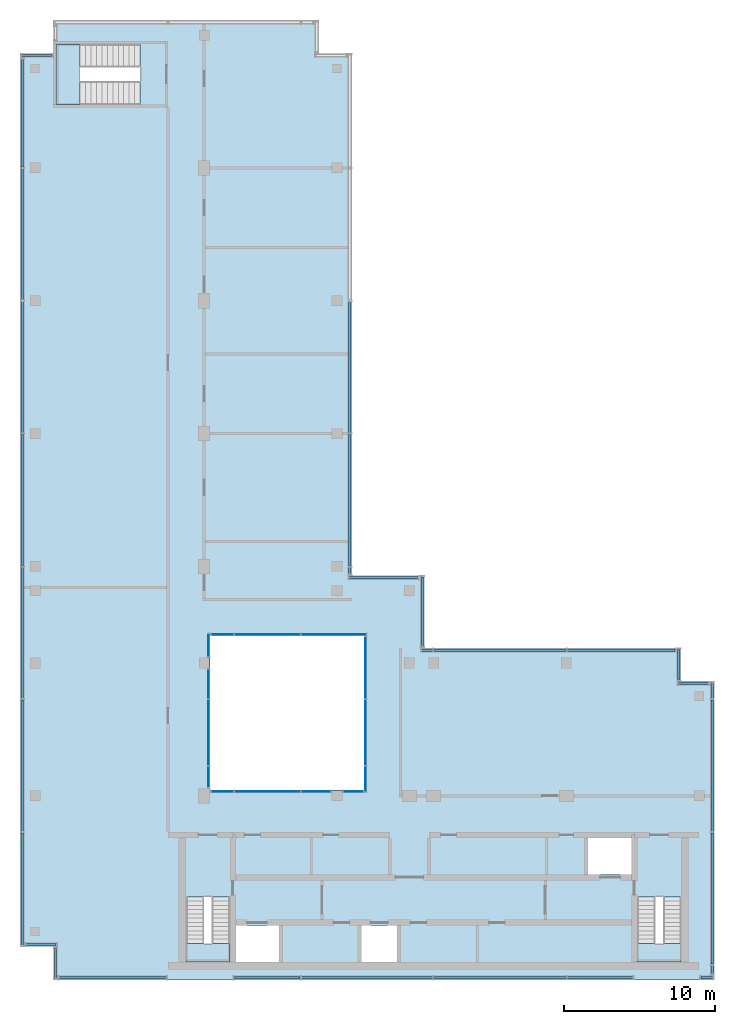
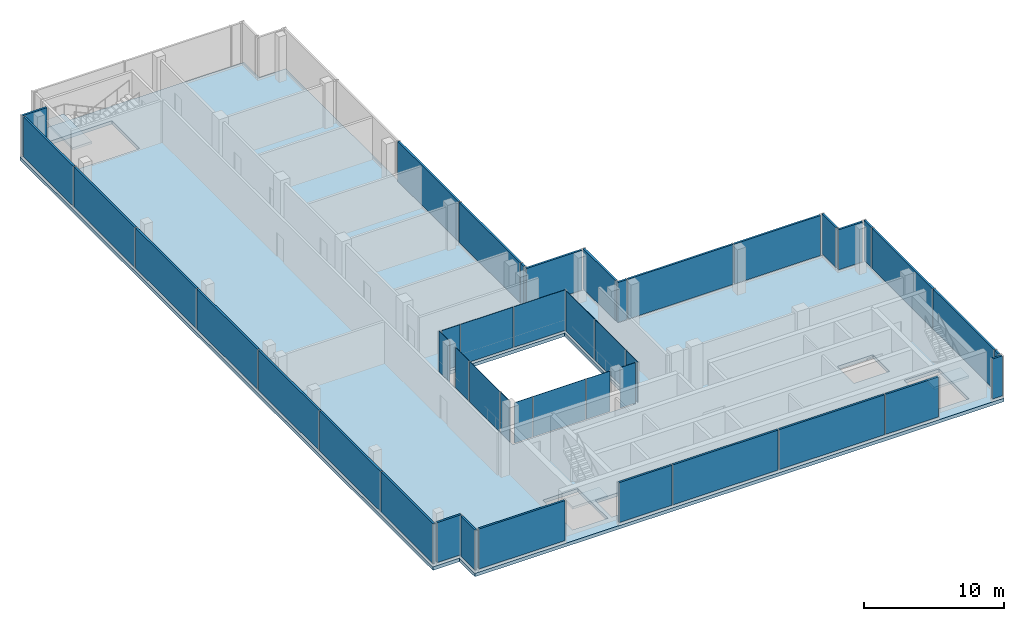
# One storey, part 7 of 10: 44 plates, 4 slabs, 23 elements without a shape of their own.
"""IFC4 building model written with IfcOpenShell, lengths in metres."""

from ifc_helpers import new_model, si_unit, direction, frame, origin, origin_2d, place, context, subcontext, project, spatial, polyline, rectangle, outline, extrude, source, transform, mapped, material, layer, layer_set, type_object, element, aggregate, save


model = new_model("IFC4")

# Units and contexts
model_context = context("Model", 3, precision=1e-05, world=origin(), true_north=direction((0.0, 1.0)))
body_context = subcontext(model_context, "Body", "Model", "MODEL_VIEW")
ifc_project = project(units=[si_unit("LENGTHUNIT", "METRE"), si_unit("AREAUNIT", "SQUARE_METRE"), si_unit("VOLUMEUNIT", "CUBIC_METRE"), si_unit("PLANEANGLEUNIT", "RADIAN"), si_unit("MASSUNIT", "GRAM", prefix="KILO")], contexts=[model_context])

# Site, building, storey
site_placement = place(None, origin())
site = spatial("IfcSite", under=ifc_project, at=site_placement, CompositionType="ELEMENT")
building_placement = place(site_placement, origin())
building = spatial("IfcBuilding", under=site, at=building_placement, Name="Kemantara Hotel Tower", CompositionType="ELEMENT")
storey_placement = place(building_placement, frame((0.0, 0.0, 314.199951171875)))
storey = spatial("IfcBuildingStorey", under=building, at=storey_placement, Name="L79", CompositionType="ELEMENT", Elevation=314.199951171875)

# Slab
ifc_material_1 = material(Name="Concrete fc 40 MPa", Category="concrete")
ifc_layer_1 = layer(ifc_material_1, 0.300048828125)
ifc_layer_set_1 = layer_set([ifc_layer_1], Name="Concrete fc 40 MPa")
slab_type_1 = type_object("IfcSlabType", Name="POST-TENSIONED FLAT PLATE 300", PredefinedType="FLOOR", material=ifc_layer_set_1)
slab_1_placement = place(storey_placement, frame((0.0, 0.0, -0.300048828125)))
element("IfcSlab", 1, at=slab_1_placement, inside=storey, type_object=slab_type_1, Name="FLOOR SLAB L79", PredefinedType="FLOOR", context=body_context, shape_type="SweptSolid", body=[
    extrude(outline(polyline([(22.0, 26.800048828125), (22.0, 61.39990234375), (19.800048828125, 61.39990234375), (19.800048828125, 63.60009765625), (2.199951171875, 63.60009765625), (2.199951171875, 61.39990234375), (0.0, 61.39990234375), (0.0, 2.199951171875), (2.199951171875, 2.199951171875), (2.199951171875, 0.0), (46.0, 0.0), (46.0, 19.800048828125), (43.800048828125, 19.800048828125), (43.800048828125, 22.0), (26.800048828125, 22.0), (26.800048828125, 26.800048828125), (22.0, 26.800048828125)]), holes=[polyline([(14.22509765625, 3.60009765625), (17.175048828125, 3.60009765625), (17.175048828125, 1.199951171875), (14.22509765625, 1.199951171875), (14.22509765625, 3.60009765625)]), polyline([(24.97509765625, 3.60009765625), (24.97509765625, 1.199951171875), (22.625, 1.199951171875), (22.625, 3.60009765625), (24.97509765625, 3.60009765625)]), polyline([(13.89990234375, 1.199951171875), (11.0, 1.199951171875), (11.0, 5.49951171875), (13.89990234375, 5.49951171875), (13.89990234375, 1.199951171875)]), polyline([(43.800048828125, 1.199951171875), (40.89990234375, 1.199951171875), (40.89990234375, 5.49951171875), (43.800048828125, 5.49951171875), (43.800048828125, 1.199951171875)]), polyline([(40.574951171875, 9.39990234375), (40.574951171875, 7.0), (37.625, 7.0), (37.625, 9.39990234375), (40.574951171875, 9.39990234375)]), polyline([(22.800048828125, 22.800048828125), (22.800048828125, 12.60009765625), (12.60009765625, 12.60009765625), (12.60009765625, 22.800048828125), (22.800048828125, 22.800048828125)]), polyline([(2.39990234375, 58.0), (2.39990234375, 62.0), (7.949462890625, 62.0), (7.949462890625, 58.0), (2.39990234375, 58.0)])]), origin(), (0.0, 0.0, 1.0), 0.300048828125),
])

# Stair, slab
stair_type_1 = type_object("IfcStairType", Name="Stair 1200 wide 24 risers of 167 x 280 mm", PredefinedType="HALF_TURN_STAIR", material=ifc_material_1)
stair_1_placement = place(storey_placement, origin())
stair_1 = element("IfcStair", 2, at=stair_1_placement, inside=storey, type_object=stair_type_1, Name="L79 Exit stair ST1", PredefinedType="HALF_TURN_STAIR")
ifc_layer_2 = layer(ifc_material_1, 0.199951171875)
ifc_layer_set_2 = layer_set([ifc_layer_2], Name="Concrete fc 40 MPa")
slab_type_2 = type_object("IfcSlabType", Name="Stair landing 200 mm", PredefinedType="LANDING", material=ifc_layer_set_2)
slab_2_placement = place(storey_placement, frame((0.0, 0.0, 1.800048828125)))
slab_2 = element("IfcSlab", 3, at=slab_2_placement, type_object=slab_type_2, Name="ST1 landing 1", PredefinedType="LANDING", context=body_context, shape_type="SweptSolid", body=[
    extrude(outline(polyline([(11.0, 2.419921875), (11.0, 1.199951171875), (13.89990234375, 1.199951171875), (13.89990234375, 2.419921875), (11.0, 2.419921875)])), origin(), (0.0, 0.0, 1.0), 0.199951171875),
])
aggregate(stair_1, [slab_2])

stair_2_placement = place(storey_placement, origin())
stair_2 = element("IfcStair", 4, at=stair_2_placement, inside=storey, type_object=stair_type_1, Name="L79 Exit stair ST2", PredefinedType="HALF_TURN_STAIR")
slab_3_placement = place(storey_placement, frame((0.0, 0.0, 1.800048828125)))
slab_3 = element("IfcSlab", 5, at=slab_3_placement, type_object=slab_type_2, Name="ST2 landing 1", PredefinedType="LANDING", context=body_context, shape_type="SweptSolid", body=[
    extrude(outline(polyline([(40.89990234375, 2.419921875), (40.89990234375, 1.199951171875), (43.800048828125, 1.199951171875), (43.800048828125, 2.419921875), (40.89990234375, 2.419921875)])), origin(), (0.0, 0.0, 1.0), 0.199951171875),
])
aggregate(stair_2, [slab_3])

stair_type_2 = type_object("IfcStairType", Name="Stair 1550 wide 24 risers of 167 x 360 mm", PredefinedType="HALF_TURN_STAIR", material=ifc_material_1)
stair_3_placement = place(storey_placement, origin())
stair_3 = element("IfcStair", 6, at=stair_3_placement, inside=storey, type_object=stair_type_2, Name="L79 Exit stair ST4", PredefinedType="HALF_TURN_STAIR")
slab_4_placement = place(storey_placement, frame((0.0, 0.0, 1.800048828125)))
slab_4 = element("IfcSlab", 7, at=slab_4_placement, type_object=slab_type_2, Name="ST4 landing 1", PredefinedType="LANDING", context=body_context, shape_type="SweptSolid", body=[
    extrude(outline(polyline([(3.989990234375, 62.0), (2.39990234375, 62.0), (2.39990234375, 58.0), (3.989990234375, 58.0), (3.989990234375, 62.0)])), origin(), (0.0, 0.0, 1.0), 0.199951171875),
])
aggregate(stair_3, [slab_4])

# Curtain wall, plate
ifc_material_2 = material(Name="Aluminium 6063-T6 bronze anodised", Category="aluminium")
curtain_wall_type_1 = type_object("IfcCurtainWallType", Name="CROWN LOUVRE SCREEN WALL", PredefinedType="USERDEFINED", material=ifc_material_2)
curtain_wall_1_placement = place(storey_placement, origin())
curtain_wall_1 = element("IfcCurtainWall", 8, at=curtain_wall_1_placement, inside=storey, type_object=curtain_wall_type_1, Name="CW7 L79 CRN-R12-1", ObjectType="CROWN LOUVRE SCREEN WALL", PredefinedType="USERDEFINED")
ifc_material_3 = material(Name="Bronze anodised aluminium louvre blades 3 mm", Category="aluminium")
ifc_layer_3 = layer(ifc_material_3, 0.159912109375)
ifc_layer_set_3 = layer_set([ifc_layer_3], Name="Bronze anodised aluminium louvre blades 3 mm")
plate_type_1 = type_object("IfcPlateType", Name="CROWN LOUVRE SCREEN WALL PANEL", PredefinedType="CURTAIN_PANEL", material=ifc_layer_set_3)
shared_shape_1 = source(origin(), body_context, "Body", "SweptSolid", [
    extrude(rectangle(XDim=0.75, YDim=0.159912109375, at=origin_2d()), origin(), (0.0, 0.0, 1.0), 3.5),
])
plate_1_placement = place(storey_placement, frame((26.97509765625, 21.85009765625, 0.199951171875), z_axis=(0.0, 0.0, 1.0), x_axis=(-1.0, 0.0, 0.0)))
plate_1 = element("IfcPlate", 9, at=plate_1_placement, type_object=plate_type_1, Name="CW7 louvre panel CRN-R12-1.3", PredefinedType="CURTAIN_PANEL", context=body_context, shape_type="MappedRepresentation", body=[
    mapped(shared_shape_1, transform((0.0, 0.0, 0.0))),
])

# Curtain wall, plates
curtain_wall_2_placement = place(storey_placement, origin())
curtain_wall_2 = element("IfcCurtainWall", 10, at=curtain_wall_2_placement, inside=storey, type_object=curtain_wall_type_1, Name="CW7 L79 CRN-R05-1", ObjectType="CROWN LOUVRE SCREEN WALL", PredefinedType="USERDEFINED")
shared_shape_2 = source(origin(), body_context, "Body", "SweptSolid", [
    extrude(rectangle(XDim=8.699951171875, YDim=0.159912109375, at=origin_2d()), origin(), (0.0, 0.0, 1.0), 3.5),
])
plate_2_placement = place(storey_placement, frame((0.14990234375, 49.39990234375, 0.199951171875), z_axis=(0.0, 0.0, 1.0), x_axis=(0.0, -1.0, 0.0)))
plate_2 = element("IfcPlate", 11, at=plate_2_placement, type_object=plate_type_1, Name="CW7 louvre panel CRN-R05-1.2", PredefinedType="CURTAIN_PANEL", context=body_context, shape_type="MappedRepresentation", body=[
    mapped(shared_shape_2, transform((0.0, 0.0, 0.0))),
])
plate_3_placement = place(storey_placement, frame((0.14990234375, 40.60009765625, 0.199951171875), z_axis=(0.0, 0.0, 1.0), x_axis=(0.0, -1.0, 0.0)))
plate_3 = element("IfcPlate", 12, at=plate_3_placement, type_object=plate_type_1, Name="CW7 louvre panel CRN-R05-1.3", PredefinedType="CURTAIN_PANEL", context=body_context, shape_type="MappedRepresentation", body=[
    mapped(shared_shape_2, transform((0.0, 0.0, 0.0))),
])
plate_4_placement = place(storey_placement, frame((0.14990234375, 31.800048828125, 0.199951171875), z_axis=(0.0, 0.0, 1.0), x_axis=(0.0, -1.0, 0.0)))
plate_4 = element("IfcPlate", 13, at=plate_4_placement, type_object=plate_type_1, Name="CW7 louvre panel CRN-R05-1.4", PredefinedType="CURTAIN_PANEL", context=body_context, shape_type="MappedRepresentation", body=[
    mapped(shared_shape_2, transform((0.0, 0.0, 0.0))),
])
plate_5_placement = place(storey_placement, frame((0.14990234375, 23.0, 0.199951171875), z_axis=(0.0, 0.0, 1.0), x_axis=(0.0, -1.0, 0.0)))
plate_5 = element("IfcPlate", 14, at=plate_5_placement, type_object=plate_type_1, Name="CW7 louvre panel CRN-R05-1.5", PredefinedType="CURTAIN_PANEL", context=body_context, shape_type="MappedRepresentation", body=[
    mapped(shared_shape_2, transform((0.0, 0.0, 0.0))),
])
plate_6_placement = place(storey_placement, frame((0.14990234375, 14.199951171875, 0.199951171875), z_axis=(0.0, 0.0, 1.0), x_axis=(0.0, -1.0, 0.0)))
plate_6 = element("IfcPlate", 15, at=plate_6_placement, type_object=plate_type_1, Name="CW7 louvre panel CRN-R05-1.6", PredefinedType="CURTAIN_PANEL", context=body_context, shape_type="MappedRepresentation", body=[
    mapped(shared_shape_2, transform((0.0, 0.0, 0.0))),
])

curtain_wall_3_placement = place(storey_placement, origin())
curtain_wall_3 = element("IfcCurtainWall", 16, at=curtain_wall_3_placement, inside=storey, type_object=curtain_wall_type_1, Name="CW7 L79 CRN-R08-2", ObjectType="CROWN LOUVRE SCREEN WALL", PredefinedType="USERDEFINED")
plate_7_placement = place(storey_placement, frame((23.0, 0.14990234375, 0.199951171875), z_axis=(0.0, 0.0, 1.0), x_axis=(1.0, 0.0, 0.0)))
plate_7 = element("IfcPlate", 17, at=plate_7_placement, type_object=plate_type_1, Name="CW7 louvre panel CRN-R08-2.2", PredefinedType="CURTAIN_PANEL", context=body_context, shape_type="MappedRepresentation", body=[
    mapped(shared_shape_2, transform((0.0, 0.0, 0.0))),
])
plate_8_placement = place(storey_placement, frame((31.800048828125, 0.14990234375, 0.199951171875), z_axis=(0.0, 0.0, 1.0), x_axis=(1.0, 0.0, 0.0)))
plate_8 = element("IfcPlate", 18, at=plate_8_placement, type_object=plate_type_1, Name="CW7 louvre panel CRN-R08-2.3", PredefinedType="CURTAIN_PANEL", context=body_context, shape_type="MappedRepresentation", body=[
    mapped(shared_shape_2, transform((0.0, 0.0, 0.0))),
])

curtain_wall_4_placement = place(storey_placement, origin())
curtain_wall_4 = element("IfcCurtainWall", 19, at=curtain_wall_4_placement, inside=storey, type_object=curtain_wall_type_1, Name="CW7 L79 CRN-R09-1", ObjectType="CROWN LOUVRE SCREEN WALL", PredefinedType="USERDEFINED")
plate_9_placement = place(storey_placement, frame((45.85009765625, 5.39990234375, 0.199951171875), z_axis=(0.0, 0.0, 1.0), x_axis=(0.0, 1.0, 0.0)))
plate_9 = element("IfcPlate", 20, at=plate_9_placement, type_object=plate_type_1, Name="CW7 louvre panel CRN-R09-1.2", PredefinedType="CURTAIN_PANEL", context=body_context, shape_type="MappedRepresentation", body=[
    mapped(shared_shape_2, transform((0.0, 0.0, 0.0))),
])
plate_10_placement = place(storey_placement, frame((45.85009765625, 14.199951171875, 0.199951171875), z_axis=(0.0, 0.0, 1.0), x_axis=(0.0, 1.0, 0.0)))
plate_10 = element("IfcPlate", 21, at=plate_10_placement, type_object=plate_type_1, Name="CW7 louvre panel CRN-R09-1.3", PredefinedType="CURTAIN_PANEL", context=body_context, shape_type="MappedRepresentation", body=[
    mapped(shared_shape_2, transform((0.0, 0.0, 0.0))),
])

# Plate
plate_11_placement = place(storey_placement, frame((31.800048828125, 21.85009765625, 0.199951171875), z_axis=(0.0, 0.0, 1.0), x_axis=(-1.0, 0.0, 0.0)))
plate_11 = element("IfcPlate", 22, at=plate_11_placement, type_object=plate_type_1, Name="CW7 louvre panel CRN-R12-1.2", PredefinedType="CURTAIN_PANEL", context=body_context, shape_type="MappedRepresentation", body=[
    mapped(shared_shape_2, transform((0.0, 0.0, 0.0))),
])

# Curtain wall, plates
curtain_wall_5_placement = place(storey_placement, origin())
curtain_wall_5 = element("IfcCurtainWall", 23, at=curtain_wall_5_placement, inside=storey, type_object=curtain_wall_type_1, Name="CW7 L79 CRN-R15-1", ObjectType="CROWN LOUVRE SCREEN WALL", PredefinedType="USERDEFINED")
plate_12_placement = place(storey_placement, frame((21.85009765625, 31.800048828125, 0.199951171875), z_axis=(0.0, 0.0, 1.0), x_axis=(0.0, 1.0, 0.0)))
plate_12 = element("IfcPlate", 24, at=plate_12_placement, type_object=plate_type_1, Name="CW7 louvre panel CRN-R15-1.2", PredefinedType="CURTAIN_PANEL", context=body_context, shape_type="MappedRepresentation", body=[
    mapped(shared_shape_2, transform((0.0, 0.0, 0.0))),
])
plate_13_placement = place(storey_placement, frame((21.85009765625, 40.60009765625, 0.199951171875), z_axis=(0.0, 0.0, 1.0), x_axis=(0.0, 1.0, 0.0)))
plate_13 = element("IfcPlate", 25, at=plate_13_placement, type_object=plate_type_1, Name="CW7 louvre panel CRN-R15-1.3", PredefinedType="CURTAIN_PANEL", context=body_context, shape_type="MappedRepresentation", body=[
    mapped(shared_shape_2, transform((0.0, 0.0, 0.0))),
])

# Plate
shared_shape_3 = source(origin(), body_context, "Body", "SweptSolid", [
    extrude(rectangle(XDim=7.449951171875, YDim=0.159912109375, at=origin_2d()), origin(), (0.0, 0.0, 1.0), 3.5),
])
plate_14_placement = place(storey_placement, frame((0.14990234375, 6.02490234375, 0.199951171875), z_axis=(0.0, 0.0, 1.0), x_axis=(0.0, -1.0, 0.0)))
plate_14 = element("IfcPlate", 26, at=plate_14_placement, type_object=plate_type_1, Name="CW7 louvre panel CRN-R05-1.7", PredefinedType="CURTAIN_PANEL", context=body_context, shape_type="MappedRepresentation", body=[
    mapped(shared_shape_3, transform((0.0, 0.0, 0.0))),
])

shared_shape_4 = source(origin(), body_context, "Body", "SweptSolid", [
    extrude(rectangle(XDim=7.14990234375, YDim=0.159912109375, at=origin_2d()), origin(), (0.0, 0.0, 1.0), 3.5),
])
plate_15_placement = place(storey_placement, frame((0.14990234375, 57.425048828125, 0.199951171875), z_axis=(0.0, 0.0, 1.0), x_axis=(0.0, -1.0, 0.0)))
plate_15 = element("IfcPlate", 27, at=plate_15_placement, type_object=plate_type_1, Name="CW7 louvre panel CRN-R05-1.1", PredefinedType="CURTAIN_PANEL", context=body_context, shape_type="MappedRepresentation", body=[
    mapped(shared_shape_4, transform((0.0, 0.0, 0.0))),
])

aggregate(curtain_wall_2, [plate_15, plate_2, plate_3, plate_4, plate_5, plate_6, plate_14])

plate_16_placement = place(storey_placement, frame((39.824951171875, 21.85009765625, 0.199951171875), z_axis=(0.0, 0.0, 1.0), x_axis=(-1.0, 0.0, 0.0)))
plate_16 = element("IfcPlate", 28, at=plate_16_placement, type_object=plate_type_1, Name="CW7 louvre panel CRN-R12-1.1", PredefinedType="CURTAIN_PANEL", context=body_context, shape_type="MappedRepresentation", body=[
    mapped(shared_shape_4, transform((0.0, 0.0, 0.0))),
])

aggregate(curtain_wall_1, [plate_16, plate_11, plate_1])

# Curtain wall, plate
curtain_wall_6_placement = place(storey_placement, origin())
curtain_wall_6 = element("IfcCurtainWall", 29, at=curtain_wall_6_placement, inside=storey, type_object=curtain_wall_type_1, Name="CW7 L79 CRN-R08-1", ObjectType="CROWN LOUVRE SCREEN WALL", PredefinedType="USERDEFINED")
shared_shape_5 = source(origin(), body_context, "Body", "SweptSolid", [
    extrude(rectangle(XDim=7.10009765625, YDim=0.159912109375, at=origin_2d()), origin(), (0.0, 0.0, 1.0), 3.5),
])
plate_17_placement = place(storey_placement, frame((6.14990234375, 0.14990234375, 0.199951171875), z_axis=(0.0, 0.0, 1.0), x_axis=(1.0, 0.0, 0.0)))
plate_17 = element("IfcPlate", 30, at=plate_17_placement, type_object=plate_type_1, Name="CW7 louvre panel CRN-R08-1.1", PredefinedType="CURTAIN_PANEL", context=body_context, shape_type="MappedRepresentation", body=[
    mapped(shared_shape_5, transform((0.0, 0.0, 0.0))),
])
aggregate(curtain_wall_6, [plate_17])

# Plate
shared_shape_6 = source(origin(), body_context, "Body", "SweptSolid", [
    extrude(rectangle(XDim=4.35009765625, YDim=0.159912109375, at=origin_2d()), origin(), (0.0, 0.0, 1.0), 3.5),
])
plate_18_placement = place(storey_placement, frame((16.375, 0.14990234375, 0.199951171875), z_axis=(0.0, 0.0, 1.0), x_axis=(1.0, 0.0, 0.0)))
plate_18 = element("IfcPlate", 31, at=plate_18_placement, type_object=plate_type_1, Name="CW7 louvre panel CRN-R08-2.1", PredefinedType="CURTAIN_PANEL", context=body_context, shape_type="MappedRepresentation", body=[
    mapped(shared_shape_6, transform((0.0, 0.0, 0.0))),
])

plate_19_placement = place(storey_placement, frame((38.425048828125, 0.14990234375, 0.199951171875), z_axis=(0.0, 0.0, 1.0), x_axis=(1.0, 0.0, 0.0)))
plate_19 = element("IfcPlate", 32, at=plate_19_placement, type_object=plate_type_1, Name="CW7 louvre panel CRN-R08-2.4", PredefinedType="CURTAIN_PANEL", context=body_context, shape_type="MappedRepresentation", body=[
    mapped(shared_shape_6, transform((0.0, 0.0, 0.0))),
])

aggregate(curtain_wall_3, [plate_18, plate_7, plate_8, plate_19])

# Curtain wall, plate
curtain_wall_7_placement = place(storey_placement, origin())
curtain_wall_7 = element("IfcCurtainWall", 33, at=curtain_wall_7_placement, inside=storey, type_object=curtain_wall_type_1, Name="CW7 L79 CRN-R08-3", ObjectType="CROWN LOUVRE SCREEN WALL", PredefinedType="USERDEFINED")
shared_shape_7 = source(origin(), body_context, "Body", "SweptSolid", [
    extrude(rectangle(XDim=0.800048828125, YDim=0.159912109375, at=origin_2d()), origin(), (0.0, 0.0, 1.0), 3.5),
])
plate_20_placement = place(storey_placement, frame((45.5, 0.14990234375, 0.199951171875), z_axis=(0.0, 0.0, 1.0), x_axis=(1.0, 0.0, 0.0)))
plate_20 = element("IfcPlate", 34, at=plate_20_placement, type_object=plate_type_1, Name="CW7 louvre panel CRN-R08-3.1", PredefinedType="CURTAIN_PANEL", context=body_context, shape_type="MappedRepresentation", body=[
    mapped(shared_shape_7, transform((0.0, 0.0, 0.0))),
])
aggregate(curtain_wall_7, [plate_20])

# Plate
shared_shape_8 = source(origin(), body_context, "Body", "SweptSolid", [
    extrude(rectangle(XDim=0.550048828125, YDim=0.159912109375, at=origin_2d()), origin(), (0.0, 0.0, 1.0), 3.5),
])
plate_21_placement = place(storey_placement, frame((45.85009765625, 0.675048828125, 0.199951171875), z_axis=(0.0, 0.0, 1.0), x_axis=(0.0, 1.0, 0.0)))
plate_21 = element("IfcPlate", 35, at=plate_21_placement, type_object=plate_type_1, Name="CW7 louvre panel CRN-R09-1.1", PredefinedType="CURTAIN_PANEL", context=body_context, shape_type="MappedRepresentation", body=[
    mapped(shared_shape_8, transform((0.0, 0.0, 0.0))),
])

shared_shape_9 = source(origin(), body_context, "Body", "SweptSolid", [
    extrude(rectangle(XDim=1.050048828125, YDim=0.159912109375, at=origin_2d()), origin(), (0.0, 0.0, 1.0), 3.5),
])
plate_22_placement = place(storey_placement, frame((45.85009765625, 19.175048828125, 0.199951171875), z_axis=(0.0, 0.0, 1.0), x_axis=(0.0, 1.0, 0.0)))
plate_22 = element("IfcPlate", 36, at=plate_22_placement, type_object=plate_type_1, Name="CW7 louvre panel CRN-R09-1.4", PredefinedType="CURTAIN_PANEL", context=body_context, shape_type="MappedRepresentation", body=[
    mapped(shared_shape_9, transform((0.0, 0.0, 0.0))),
])

aggregate(curtain_wall_4, [plate_21, plate_9, plate_10, plate_22])

# Curtain wall, plate
curtain_wall_8_placement = place(storey_placement, origin())
curtain_wall_8 = element("IfcCurtainWall", 37, at=curtain_wall_8_placement, inside=storey, type_object=curtain_wall_type_1, Name="CW7 L79 CRN-R13-1", ObjectType="CROWN LOUVRE SCREEN WALL", PredefinedType="USERDEFINED")
shared_shape_10 = source(origin(), body_context, "Body", "SweptSolid", [
    extrude(rectangle(XDim=4.60009765625, YDim=0.159912109375, at=origin_2d()), origin(), (0.0, 0.0, 1.0), 3.5),
])
plate_23_placement = place(storey_placement, frame((26.64990234375, 24.39990234375, 0.199951171875), z_axis=(0.0, 0.0, 1.0), x_axis=(0.0, 1.0, 0.0)))
plate_23 = element("IfcPlate", 38, at=plate_23_placement, type_object=plate_type_1, Name="CW7 louvre panel CRN-R13-1.1", PredefinedType="CURTAIN_PANEL", context=body_context, shape_type="MappedRepresentation", body=[
    mapped(shared_shape_10, transform((0.0, 0.0, 0.0))),
])
aggregate(curtain_wall_8, [plate_23])

curtain_wall_9_placement = place(storey_placement, origin())
curtain_wall_9 = element("IfcCurtainWall", 39, at=curtain_wall_9_placement, inside=storey, type_object=curtain_wall_type_1, Name="CW7 L79 CRN-R14-1", ObjectType="CROWN LOUVRE SCREEN WALL", PredefinedType="USERDEFINED")
plate_24_placement = place(storey_placement, frame((24.10009765625, 26.64990234375, 0.199951171875), z_axis=(0.0, 0.0, 1.0), x_axis=(-1.0, 0.0, 0.0)))
plate_24 = element("IfcPlate", 40, at=plate_24_placement, type_object=plate_type_1, Name="CW7 louvre panel CRN-R14-1.1", PredefinedType="CURTAIN_PANEL", context=body_context, shape_type="MappedRepresentation", body=[
    mapped(shared_shape_10, transform((0.0, 0.0, 0.0))),
])
aggregate(curtain_wall_9, [plate_24])

# Plate
shared_shape_11 = source(origin(), body_context, "Body", "SweptSolid", [
    extrude(rectangle(XDim=0.449951171875, YDim=0.159912109375, at=origin_2d()), origin(), (0.0, 0.0, 1.0), 3.5),
])
plate_25_placement = place(storey_placement, frame((21.85009765625, 27.125, 0.199951171875), z_axis=(0.0, 0.0, 1.0), x_axis=(0.0, 1.0, 0.0)))
plate_25 = element("IfcPlate", 41, at=plate_25_placement, type_object=plate_type_1, Name="CW7 louvre panel CRN-R15-1.1", PredefinedType="CURTAIN_PANEL", context=body_context, shape_type="MappedRepresentation", body=[
    mapped(shared_shape_11, transform((0.0, 0.0, 0.0))),
])

aggregate(curtain_wall_5, [plate_25, plate_12, plate_13])

# Curtain wall, plate
curtain_wall_10_placement = place(storey_placement, origin())
curtain_wall_10 = element("IfcCurtainWall", 42, at=curtain_wall_10_placement, inside=storey, type_object=curtain_wall_type_1, Name="CW7 L79 CRN-R04-1", ObjectType="CROWN LOUVRE SCREEN WALL", PredefinedType="USERDEFINED")
shared_shape_12 = source(origin(), body_context, "Body", "SweptSolid", [
    extrude(rectangle(XDim=2.0, YDim=0.159912109375, at=origin_2d()), origin(), (0.0, 0.0, 1.0), 3.5),
])
plate_26_placement = place(storey_placement, frame((1.10009765625, 61.25, 0.199951171875), z_axis=(0.0, 0.0, 1.0), x_axis=(-1.0, 0.0, 0.0)))
plate_26 = element("IfcPlate", 43, at=plate_26_placement, type_object=plate_type_1, Name="CW7 louvre panel CRN-R04-1.1", PredefinedType="CURTAIN_PANEL", context=body_context, shape_type="MappedRepresentation", body=[
    mapped(shared_shape_12, transform((0.0, 0.0, 0.0))),
])
aggregate(curtain_wall_10, [plate_26])

curtain_wall_11_placement = place(storey_placement, origin())
curtain_wall_11 = element("IfcCurtainWall", 44, at=curtain_wall_11_placement, inside=storey, type_object=curtain_wall_type_1, Name="CW7 L79 CRN-R06-1", ObjectType="CROWN LOUVRE SCREEN WALL", PredefinedType="USERDEFINED")
plate_27_placement = place(storey_placement, frame((1.39990234375, 2.35009765625, 0.199951171875), z_axis=(0.0, 0.0, 1.0), x_axis=(1.0, 0.0, 0.0)))
plate_27 = element("IfcPlate", 45, at=plate_27_placement, type_object=plate_type_1, Name="CW7 louvre panel CRN-R06-1.1", PredefinedType="CURTAIN_PANEL", context=body_context, shape_type="MappedRepresentation", body=[
    mapped(shared_shape_12, transform((0.0, 0.0, 0.0))),
])
aggregate(curtain_wall_11, [plate_27])

curtain_wall_12_placement = place(storey_placement, origin())
curtain_wall_12 = element("IfcCurtainWall", 46, at=curtain_wall_12_placement, inside=storey, type_object=curtain_wall_type_1, Name="CW7 L79 CRN-R07-1", ObjectType="CROWN LOUVRE SCREEN WALL", PredefinedType="USERDEFINED")
plate_28_placement = place(storey_placement, frame((2.35009765625, 1.10009765625, 0.199951171875), z_axis=(0.0, 0.0, 1.0), x_axis=(0.0, -1.0, 0.0)))
plate_28 = element("IfcPlate", 47, at=plate_28_placement, type_object=plate_type_1, Name="CW7 louvre panel CRN-R07-1.1", PredefinedType="CURTAIN_PANEL", context=body_context, shape_type="MappedRepresentation", body=[
    mapped(shared_shape_12, transform((0.0, 0.0, 0.0))),
])
aggregate(curtain_wall_12, [plate_28])

curtain_wall_13_placement = place(storey_placement, origin())
curtain_wall_13 = element("IfcCurtainWall", 48, at=curtain_wall_13_placement, inside=storey, type_object=curtain_wall_type_1, Name="CW7 L79 CRN-R10-1", ObjectType="CROWN LOUVRE SCREEN WALL", PredefinedType="USERDEFINED")
plate_29_placement = place(storey_placement, frame((44.60009765625, 19.64990234375, 0.199951171875), z_axis=(0.0, 0.0, 1.0), x_axis=(-1.0, 0.0, 0.0)))
plate_29 = element("IfcPlate", 49, at=plate_29_placement, type_object=plate_type_1, Name="CW7 louvre panel CRN-R10-1.1", PredefinedType="CURTAIN_PANEL", context=body_context, shape_type="MappedRepresentation", body=[
    mapped(shared_shape_12, transform((0.0, 0.0, 0.0))),
])
aggregate(curtain_wall_13, [plate_29])

curtain_wall_14_placement = place(storey_placement, origin())
curtain_wall_14 = element("IfcCurtainWall", 50, at=curtain_wall_14_placement, inside=storey, type_object=curtain_wall_type_1, Name="CW7 L79 CRN-R11-1", ObjectType="CROWN LOUVRE SCREEN WALL", PredefinedType="USERDEFINED")
plate_30_placement = place(storey_placement, frame((43.64990234375, 20.89990234375, 0.199951171875), z_axis=(0.0, 0.0, 1.0), x_axis=(0.0, 1.0, 0.0)))
plate_30 = element("IfcPlate", 51, at=plate_30_placement, type_object=plate_type_1, Name="CW7 louvre panel CRN-R11-1.1", PredefinedType="CURTAIN_PANEL", context=body_context, shape_type="MappedRepresentation", body=[
    mapped(shared_shape_12, transform((0.0, 0.0, 0.0))),
])
aggregate(curtain_wall_14, [plate_30])

ifc_material_4 = material(Name="Clear low-iron laminated glass 36 mm", Category="glass")
curtain_wall_type_2 = type_object("IfcCurtainWallType", Name="ATRIUM GLAZING WALL", PredefinedType="USERDEFINED", material=ifc_material_4)
curtain_wall_15_placement = place(storey_placement, origin())
curtain_wall_15 = element("IfcCurtainWall", 52, at=curtain_wall_15_placement, inside=storey, type_object=curtain_wall_type_2, Name="CW5 L79 ATR-R0-1", ObjectType="ATRIUM GLAZING WALL", PredefinedType="USERDEFINED")
ifc_layer_4 = layer(ifc_material_4, 0.035888671875)
ifc_layer_set_4 = layer_set([ifc_layer_4], Name="Clear low-iron laminated glass 36 mm")
plate_type_2 = type_object("IfcPlateType", Name="ATRIUM GLAZING WALL PANEL", PredefinedType="CURTAIN_PANEL", material=ifc_layer_set_4)
shared_shape_13 = source(origin(), body_context, "Body", "SweptSolid", [
    extrude(rectangle(XDim=1.487548828125, YDim=0.035888671875, at=origin_2d()), origin(), (0.0, 0.0, 1.0), 3.550048828125),
])
plate_31_placement = place(storey_placement, frame((13.418701171875, 22.89990234375, 0.14990234375), z_axis=(0.0, 0.0, 1.0), x_axis=(1.0, 0.0, 0.0)))
plate_31 = element("IfcPlate", 53, at=plate_31_placement, type_object=plate_type_2, Name="CW5 glass panel ATR-R0-1.1", PredefinedType="CURTAIN_PANEL", context=body_context, shape_type="MappedRepresentation", body=[
    mapped(shared_shape_13, transform((0.0, 0.0, 0.0))),
])

curtain_wall_16_placement = place(storey_placement, origin())
curtain_wall_16 = element("IfcCurtainWall", 54, at=curtain_wall_16_placement, inside=storey, type_object=curtain_wall_type_2, Name="CW5 L79 ATR-R2-2", ObjectType="ATRIUM GLAZING WALL", PredefinedType="USERDEFINED")
plate_32_placement = place(storey_placement, frame((13.418701171875, 12.5, 0.14990234375), z_axis=(0.0, 0.0, 1.0), x_axis=(-1.0, 0.0, 0.0)))
plate_32 = element("IfcPlate", 55, at=plate_32_placement, type_object=plate_type_2, Name="CW5 glass panel ATR-R2-2.3", PredefinedType="CURTAIN_PANEL", context=body_context, shape_type="MappedRepresentation", body=[
    mapped(shared_shape_13, transform((0.0, 0.0, 0.0))),
])

# Plate
shared_shape_14 = source(origin(), body_context, "Body", "SweptSolid", [
    extrude(rectangle(XDim=4.324951171875, YDim=0.035888671875, at=origin_2d()), origin(), (0.0, 0.0, 1.0), 3.550048828125),
])
plate_33_placement = place(storey_placement, frame((16.39990234375, 22.89990234375, 0.14990234375), z_axis=(0.0, 0.0, 1.0), x_axis=(1.0, 0.0, 0.0)))
plate_33 = element("IfcPlate", 56, at=plate_33_placement, type_object=plate_type_2, Name="CW5 glass panel ATR-R0-1.2", PredefinedType="CURTAIN_PANEL", context=body_context, shape_type="MappedRepresentation", body=[
    mapped(shared_shape_14, transform((0.0, 0.0, 0.0))),
])

# Curtain wall, plate
curtain_wall_17_placement = place(storey_placement, origin())
curtain_wall_17 = element("IfcCurtainWall", 57, at=curtain_wall_17_placement, inside=storey, type_object=curtain_wall_type_2, Name="CW5 L79 ATR-R1-1", ObjectType="ATRIUM GLAZING WALL", PredefinedType="USERDEFINED")
plate_34_placement = place(storey_placement, frame((22.89990234375, 16.39990234375, 0.14990234375), z_axis=(0.0, 0.0, 1.0), x_axis=(0.0, -1.0, 0.0)))
plate_34 = element("IfcPlate", 58, at=plate_34_placement, type_object=plate_type_2, Name="CW5 glass panel ATR-R1-1.2", PredefinedType="CURTAIN_PANEL", context=body_context, shape_type="MappedRepresentation", body=[
    mapped(shared_shape_14, transform((0.0, 0.0, 0.0))),
])

# Plate
plate_35_placement = place(storey_placement, frame((16.39990234375, 12.5, 0.14990234375), z_axis=(0.0, 0.0, 1.0), x_axis=(-1.0, 0.0, 0.0)))
plate_35 = element("IfcPlate", 59, at=plate_35_placement, type_object=plate_type_2, Name="CW5 glass panel ATR-R2-2.2", PredefinedType="CURTAIN_PANEL", context=body_context, shape_type="MappedRepresentation", body=[
    mapped(shared_shape_14, transform((0.0, 0.0, 0.0))),
])

# Curtain wall, plate
curtain_wall_18_placement = place(storey_placement, origin())
curtain_wall_18 = element("IfcCurtainWall", 60, at=curtain_wall_18_placement, inside=storey, type_object=curtain_wall_type_2, Name="CW5 L79 ATR-R3-1", ObjectType="ATRIUM GLAZING WALL", PredefinedType="USERDEFINED")
plate_36_placement = place(storey_placement, frame((12.5, 16.39990234375, 0.14990234375), z_axis=(0.0, 0.0, 1.0), x_axis=(0.0, 1.0, 0.0)))
plate_36 = element("IfcPlate", 61, at=plate_36_placement, type_object=plate_type_2, Name="CW5 glass panel ATR-R3-1.2", PredefinedType="CURTAIN_PANEL", context=body_context, shape_type="MappedRepresentation", body=[
    mapped(shared_shape_14, transform((0.0, 0.0, 0.0))),
])

# Plate
shared_shape_15 = source(origin(), body_context, "Body", "SweptSolid", [
    extrude(rectangle(XDim=4.28759765625, YDim=0.035888671875, at=origin_2d()), origin(), (0.0, 0.0, 1.0), 3.550048828125),
])
plate_37_placement = place(storey_placement, frame((20.78125, 22.89990234375, 0.14990234375), z_axis=(0.0, 0.0, 1.0), x_axis=(1.0, 0.0, 0.0)))
plate_37 = element("IfcPlate", 62, at=plate_37_placement, type_object=plate_type_2, Name="CW5 glass panel ATR-R0-1.3", PredefinedType="CURTAIN_PANEL", context=body_context, shape_type="MappedRepresentation", body=[
    mapped(shared_shape_15, transform((0.0, 0.0, 0.0))),
])

aggregate(curtain_wall_15, [plate_31, plate_33, plate_37])

shared_shape_16 = source(origin(), body_context, "Body", "SweptSolid", [
    extrude(rectangle(XDim=4.08740234375, YDim=0.035888671875, at=origin_2d()), origin(), (0.0, 0.0, 1.0), 3.550048828125),
])
plate_38_placement = place(storey_placement, frame((22.89990234375, 20.68115234375, 0.14990234375), z_axis=(0.0, 0.0, 1.0), x_axis=(0.0, -1.0, 0.0)))
plate_38 = element("IfcPlate", 63, at=plate_38_placement, type_object=plate_type_2, Name="CW5 glass panel ATR-R1-1.1", PredefinedType="CURTAIN_PANEL", context=body_context, shape_type="MappedRepresentation", body=[
    mapped(shared_shape_16, transform((0.0, 0.0, 0.0))),
])

shared_shape_17 = source(origin(), body_context, "Body", "SweptSolid", [
    extrude(rectangle(XDim=1.6875, YDim=0.035888671875, at=origin_2d()), origin(), (0.0, 0.0, 1.0), 3.550048828125),
])
plate_39_placement = place(storey_placement, frame((22.89990234375, 13.31884765625, 0.14990234375), z_axis=(0.0, 0.0, 1.0), x_axis=(0.0, -1.0, 0.0)))
plate_39 = element("IfcPlate", 64, at=plate_39_placement, type_object=plate_type_2, Name="CW5 glass panel ATR-R1-1.3", PredefinedType="CURTAIN_PANEL", context=body_context, shape_type="MappedRepresentation", body=[
    mapped(shared_shape_17, transform((0.0, 0.0, 0.0))),
])

aggregate(curtain_wall_17, [plate_38, plate_34, plate_39])

# Curtain wall, plate
curtain_wall_19_placement = place(storey_placement, origin())
curtain_wall_19 = element("IfcCurtainWall", 65, at=curtain_wall_19_placement, inside=storey, type_object=curtain_wall_type_2, Name="CW5 L79 ATR-R2-1", ObjectType="ATRIUM GLAZING WALL", PredefinedType="USERDEFINED")
shared_shape_18 = source(origin(), body_context, "Body", "SweptSolid", [
    extrude(rectangle(XDim=1.300048828125, YDim=0.035888671875, at=origin_2d()), origin(), (0.0, 0.0, 1.0), 3.550048828125),
])
plate_40_placement = place(storey_placement, frame((22.074951171875, 12.5, 0.14990234375), z_axis=(0.0, 0.0, 1.0), x_axis=(-1.0, 0.0, 0.0)))
plate_40 = element("IfcPlate", 66, at=plate_40_placement, type_object=plate_type_2, Name="CW5 glass panel ATR-R2-1.1", PredefinedType="CURTAIN_PANEL", context=body_context, shape_type="MappedRepresentation", body=[
    mapped(shared_shape_18, transform((0.0, 0.0, 0.0))),
])
aggregate(curtain_wall_19, [plate_40])

# Plate
shared_shape_19 = source(origin(), body_context, "Body", "SweptSolid", [
    extrude(rectangle(XDim=1.9375, YDim=0.035888671875, at=origin_2d()), origin(), (0.0, 0.0, 1.0), 3.550048828125),
])
plate_41_placement = place(storey_placement, frame((19.606201171875, 12.5, 0.14990234375), z_axis=(0.0, 0.0, 1.0), x_axis=(-1.0, 0.0, 0.0)))
plate_41 = element("IfcPlate", 67, at=plate_41_placement, type_object=plate_type_2, Name="CW5 glass panel ATR-R2-2.1", PredefinedType="CURTAIN_PANEL", context=body_context, shape_type="MappedRepresentation", body=[
    mapped(shared_shape_19, transform((0.0, 0.0, 0.0))),
])

aggregate(curtain_wall_16, [plate_41, plate_35, plate_32])

plate_42_placement = place(storey_placement, frame((12.5, 19.606201171875, 0.14990234375), z_axis=(0.0, 0.0, 1.0), x_axis=(0.0, 1.0, 0.0)))
plate_42 = element("IfcPlate", 68, at=plate_42_placement, type_object=plate_type_2, Name="CW5 glass panel ATR-R3-1.3", PredefinedType="CURTAIN_PANEL", context=body_context, shape_type="MappedRepresentation", body=[
    mapped(shared_shape_19, transform((0.0, 0.0, 0.0))),
])

shared_shape_20 = source(origin(), body_context, "Body", "SweptSolid", [
    extrude(rectangle(XDim=1.387451171875, YDim=0.035888671875, at=origin_2d()), origin(), (0.0, 0.0, 1.0), 3.550048828125),
])
plate_43_placement = place(storey_placement, frame((12.5, 13.46875, 0.14990234375), z_axis=(0.0, 0.0, 1.0), x_axis=(0.0, 1.0, 0.0)))
plate_43 = element("IfcPlate", 69, at=plate_43_placement, type_object=plate_type_2, Name="CW5 glass panel ATR-R3-1.1", PredefinedType="CURTAIN_PANEL", context=body_context, shape_type="MappedRepresentation", body=[
    mapped(shared_shape_20, transform((0.0, 0.0, 0.0))),
])

aggregate(curtain_wall_18, [plate_43, plate_36, plate_42])

# Curtain wall, plate
curtain_wall_20_placement = place(storey_placement, origin())
curtain_wall_20 = element("IfcCurtainWall", 70, at=curtain_wall_20_placement, inside=storey, type_object=curtain_wall_type_2, Name="CW5 L79 ATR-R3-2", ObjectType="ATRIUM GLAZING WALL", PredefinedType="USERDEFINED")
shared_shape_21 = source(origin(), body_context, "Body", "SweptSolid", [
    extrude(rectangle(XDim=1.5, YDim=0.035888671875, at=origin_2d()), origin(), (0.0, 0.0, 1.0), 3.550048828125),
])
plate_44_placement = place(storey_placement, frame((12.5, 22.175048828125, 0.14990234375), z_axis=(0.0, 0.0, 1.0), x_axis=(0.0, 1.0, 0.0)))
plate_44 = element("IfcPlate", 71, at=plate_44_placement, type_object=plate_type_2, Name="CW5 glass panel ATR-R3-2.1", PredefinedType="CURTAIN_PANEL", context=body_context, shape_type="MappedRepresentation", body=[
    mapped(shared_shape_21, transform((0.0, 0.0, 0.0))),
])
aggregate(curtain_wall_20, [plate_44])

save(model, "model.ifc")
